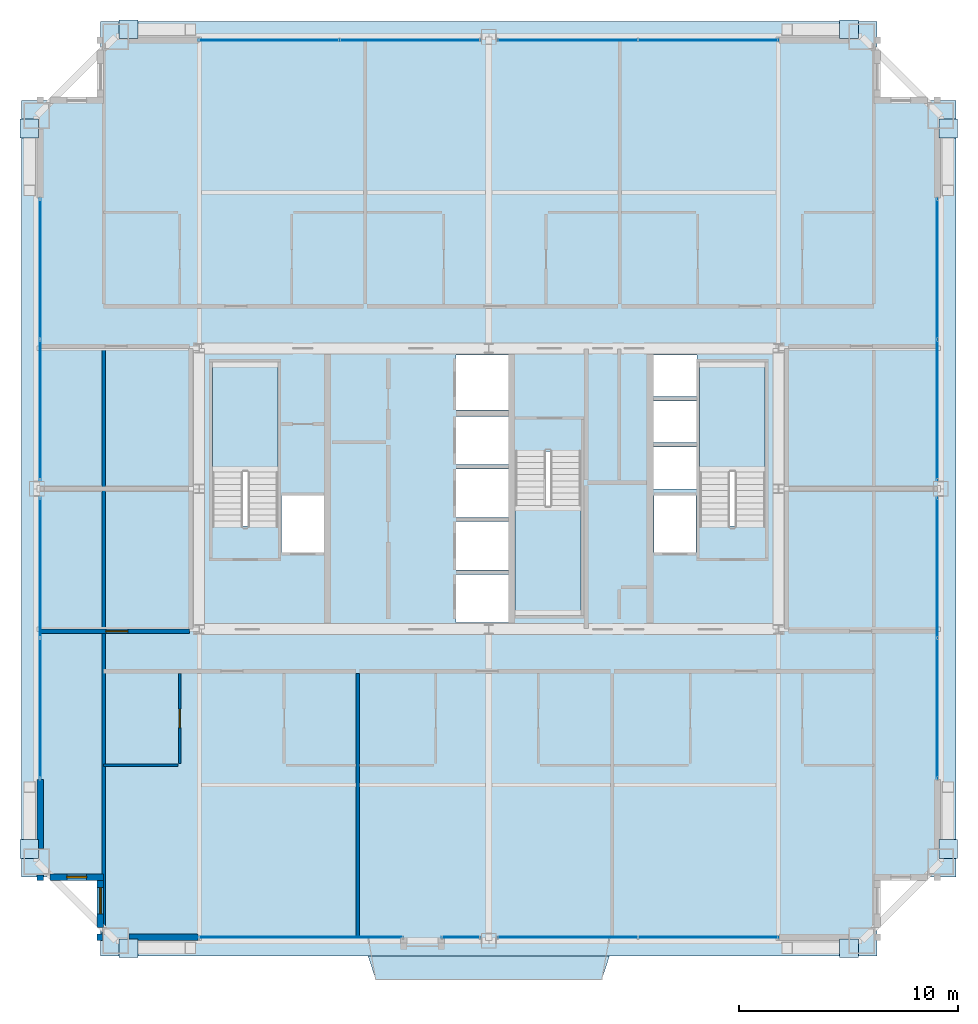
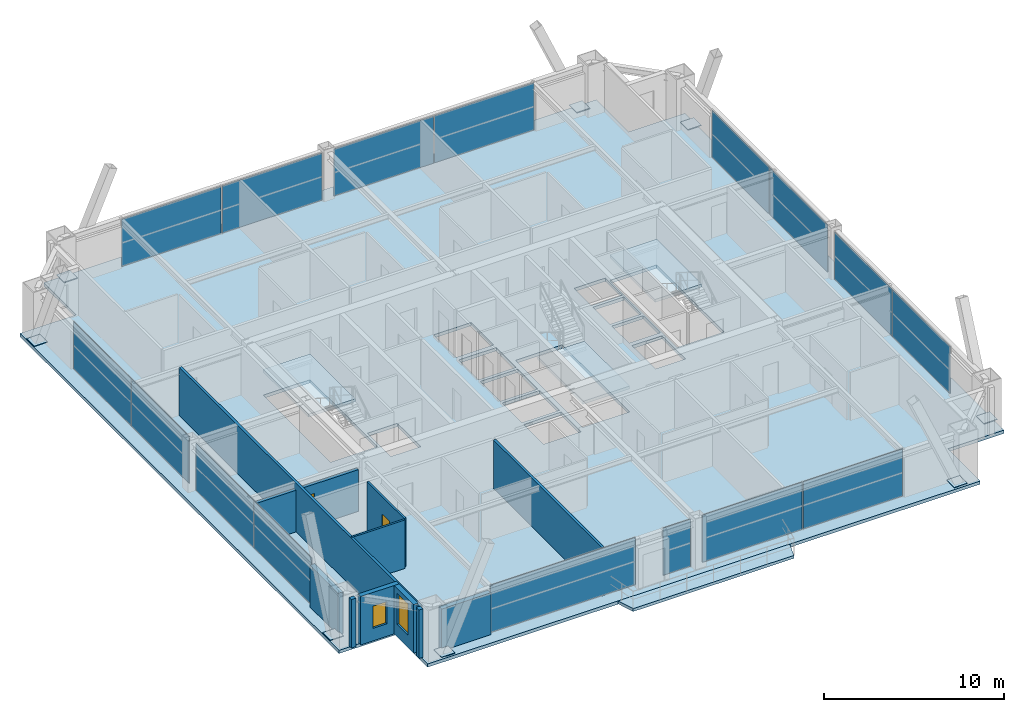
# One storey, part 29 of 34: 24 plates, 11 walls, 5 slabs, 2 doors, 2 windows, 4 openings, 12 elements without a shape of their own.
"""IFC4 building model written with IfcOpenShell, lengths in metres."""

from ifc_helpers import new_model, si_unit, direction, frame, frame_2d, origin, origin_2d, place, context, subcontext, project, spatial, polyline, rectangle, outline, extrude, source, transform, mapped, material, layer, layer_set, type_object, element, fill, aggregate, save


model = new_model("IFC4")

# Units and contexts
model_context = context("Model", 3, precision=1e-05, world=origin(), true_north=direction((0.0, 1.0)))
body_context = subcontext(model_context, "Body", "Model", "MODEL_VIEW")
ifc_project = project(units=[si_unit("LENGTHUNIT", "METRE"), si_unit("AREAUNIT", "SQUARE_METRE"), si_unit("VOLUMEUNIT", "CUBIC_METRE"), si_unit("PLANEANGLEUNIT", "RADIAN"), si_unit("MASSUNIT", "GRAM", prefix="KILO"), si_unit("THERMODYNAMICTEMPERATUREUNIT", "KELVIN"), si_unit("POWERUNIT", "WATT")], contexts=[model_context])

# Site, building, storey
site_placement = place(None, origin())
site = spatial("IfcSite", under=ifc_project, at=site_placement, CompositionType="ELEMENT")
building_placement = place(site_placement, origin())
building = spatial("IfcBuilding", under=site, at=building_placement, Name="Yuzanri Waterfront Tower", CompositionType="ELEMENT")
storey_placement = place(building_placement, frame((0.0, 0.0, 241.60009765625)))
storey = spatial("IfcBuildingStorey", under=building, at=storey_placement, Name="L64", CompositionType="ELEMENT", Elevation=241.60009765625)

# Slab
ifc_material_1 = material(Name="Concrete C40", Category="concrete")
ifc_layer_1 = layer(ifc_material_1, 0.199951171875)
ifc_layer_set_1 = layer_set([ifc_layer_1], Name="Concrete C40")
slab_type_1 = type_object("IfcSlabType", Name="Concrete C40 Cantilevered Engawa Wave Terrace Slab 200", PredefinedType="FLOOR", material=ifc_layer_set_1)
slab_1_placement = place(storey_placement, frame((0.0, 0.0, -0.2001953125)))
element("IfcSlab", 1, at=slab_1_placement, inside=storey, type_object=slab_type_1, Name="L64 S Cantilevered Engawa Terrace Slab", PredefinedType="FLOOR", context=body_context, shape_type="SweptSolid", body=[
    extrude(outline(polyline([(31.5, 4.5), (42.5, 4.5), (42.14990234375, 3.43603515625), (31.85009765625, 3.43603515625), (31.5, 4.5)])), origin(), (0.0, 0.0, 1.0), 0.2001953125),
])

# Stair, slab
ifc_material_2 = material(Name="Concrete C40", Category="concrete")
stair_type = type_object("IfcStairType", Name="Concrete C40 Core Dogleg Exit Stair", PredefinedType="HALF_TURN_STAIR", material=ifc_material_2)
stair_1_placement = place(storey_placement, origin())
stair_1 = element("IfcStair", 2, at=stair_1_placement, inside=storey, type_object=stair_type, Name="L64 Smoke-Proof Core Stair ST-01", PredefinedType="HALF_TURN_STAIR")
ifc_material_3 = material(Name="Concrete C40", Category="concrete")
ifc_layer_2 = layer(ifc_material_3, 0.179931640625)
ifc_layer_set_2 = layer_set([ifc_layer_2], Name="Concrete C40")
slab_type_2 = type_object("IfcSlabType", Name="Concrete C40 Stair Half-Landing Slab 180", PredefinedType="LANDING", material=ifc_layer_set_2)
slab_2_placement = place(storey_placement, frame((0.0, 0.0, 1.5498046875)))
slab_2 = element("IfcSlab", 3, at=slab_2_placement, type_object=slab_type_2, Name="ST-01 landing 1", PredefinedType="LANDING", context=body_context, shape_type="SweptSolid", body=[
    extrude(outline(polyline([(27.39990234375, 26.56005859375), (27.39990234375, 31.580078125), (24.39990234375, 31.580078125), (24.39990234375, 26.56005859375), (27.39990234375, 26.56005859375)])), origin(), (0.0, 0.0, 1.0), 0.2001953125),
])
aggregate(stair_1, [slab_2])

stair_2_placement = place(storey_placement, origin())
stair_2 = element("IfcStair", 4, at=stair_2_placement, inside=storey, type_object=stair_type, Name="L64 Smoke-Proof Core Stair ST-02", PredefinedType="HALF_TURN_STAIR")
slab_3_placement = place(storey_placement, frame((0.0, 0.0, 1.5498046875)))
slab_3 = element("IfcSlab", 5, at=slab_3_placement, type_object=slab_type_2, Name="ST-02 landing 1", PredefinedType="LANDING", context=body_context, shape_type="SweptSolid", body=[
    extrude(outline(polyline([(49.60009765625, 26.56005859375), (49.60009765625, 31.580078125), (46.60009765625, 31.580078125), (46.60009765625, 26.56005859375), (49.60009765625, 26.56005859375)])), origin(), (0.0, 0.0, 1.0), 0.2001953125),
])
aggregate(stair_2, [slab_3])

stair_3_placement = place(storey_placement, origin())
stair_3 = element("IfcStair", 6, at=stair_3_placement, inside=storey, type_object=stair_type, Name="L64 Smoke-Proof Core Stair ST-03", PredefinedType="HALF_TURN_STAIR")
slab_4_placement = place(storey_placement, frame((0.0, 0.0, 1.5498046875)))
slab_4 = element("IfcSlab", 7, at=slab_4_placement, type_object=slab_type_2, Name="ST-03 landing 1", PredefinedType="LANDING", context=body_context, shape_type="SweptSolid", body=[
    extrude(outline(polyline([(38.199951171875, 25.0400390625), (38.199951171875, 20.02001953125), (41.199951171875, 20.02001953125), (41.199951171875, 25.0400390625), (38.199951171875, 25.0400390625)])), origin(), (0.0, 0.0, 1.0), 0.2001953125),
])
aggregate(stair_3, [slab_4])

# Slab
ifc_material_4 = material(Name="Concrete C40", Category="concrete")
ifc_layer_3 = layer(ifc_material_4, 0.219970703125)
ifc_layer_set_3 = layer_set([ifc_layer_3], Name="Concrete C40")
slab_type_3 = type_object("IfcSlabType", Name="Concrete C40 Tower Typical Structural Floor Slab 220", PredefinedType="FLOOR", material=ifc_layer_set_3)
slab_5_placement = place(storey_placement, frame((0.0, 0.0, -0.22021484375)))
element("IfcSlab", 8, at=slab_5_placement, inside=storey, type_object=slab_type_3, Name="L64 Main Structural Floor Slab", PredefinedType="FLOOR", context=body_context, shape_type="SweptSolid", body=[
    extrude(outline(polyline([(19.300048828125, 4.5), (54.699951171875, 4.5), (54.699951171875, 8.10009765625), (58.300048828125, 8.10009765625), (58.300048828125, 43.5), (54.699951171875, 43.5), (54.699951171875, 47.10009765625), (19.300048828125, 47.10009765625), (19.300048828125, 43.5), (15.699951171875, 43.5), (15.699951171875, 8.10009765625), (19.300048828125, 8.10009765625), (19.300048828125, 4.5)]), holes=[polyline([(27.39990234375, 24.10009765625), (27.39990234375, 31.580078125), (24.39990234375, 31.580078125), (24.39990234375, 24.10009765625), (27.39990234375, 24.10009765625)]), polyline([(49.60009765625, 24.10009765625), (49.60009765625, 31.580078125), (46.60009765625, 31.580078125), (46.60009765625, 24.10009765625), (49.60009765625, 24.10009765625)]), polyline([(38.199951171875, 27.5), (38.199951171875, 20.02001953125), (41.199951171875, 20.02001953125), (41.199951171875, 27.5), (38.199951171875, 27.5)]), polyline([(27.56005859375, 22.89990234375), (29.47998046875, 22.89990234375), (29.47998046875, 25.5), (27.56005859375, 25.5), (27.56005859375, 22.89990234375)]), polyline([(44.52001953125, 22.89990234375), (46.43994140625, 22.89990234375), (46.43994140625, 25.5), (44.52001953125, 25.5), (44.52001953125, 22.89990234375)]), polyline([(35.5, 19.699951171875), (37.89990234375, 19.699951171875), (37.89990234375, 21.89990234375), (35.5, 21.89990234375), (35.5, 19.699951171875)]), polyline([(35.5, 22.10009765625), (37.89990234375, 22.10009765625), (37.89990234375, 24.300048828125), (35.5, 24.300048828125), (35.5, 22.10009765625)]), polyline([(35.5, 24.5), (37.89990234375, 24.5), (37.89990234375, 26.699951171875), (35.5, 26.699951171875), (35.5, 24.5)]), polyline([(35.5, 26.89990234375), (37.89990234375, 26.89990234375), (37.89990234375, 29.10009765625), (35.5, 29.10009765625), (35.5, 26.89990234375)]), polyline([(35.5, 29.39990234375), (37.89990234375, 29.39990234375), (37.89990234375, 31.89990234375), (35.5, 31.89990234375), (35.5, 29.39990234375)]), polyline([(44.5, 25.800048828125), (46.5, 25.800048828125), (46.5, 27.699951171875), (44.5, 27.699951171875), (44.5, 25.800048828125)]), polyline([(44.5, 27.89990234375), (46.5, 27.89990234375), (46.5, 29.800048828125), (44.5, 29.800048828125), (44.5, 27.89990234375)]), polyline([(44.5, 30.0), (46.5, 30.0), (46.5, 31.89990234375), (44.5, 31.89990234375), (44.5, 30.0)])]), origin(), (0.0, 0.0, 1.0), 0.22021484375),
])

# Plates
ifc_material_5 = material(Name="Steel Q420GJC", Category="steel")
ifc_layer_4 = layer(ifc_material_5, 0.0400390625)
ifc_layer_set_4 = layer_set([ifc_layer_4], Name="Steel Q420GJC")
plate_type_1 = type_object("IfcPlateType", Name="Steel Q420GJC Mega-Brace Gusset and End-Cap Plate 40", PredefinedType="SHEET", material=ifc_layer_set_4)
shared_shape_1 = source(origin(), body_context, "Body", "SweptSolid", [
    extrude(rectangle(XDim=0.85009765625, YDim=0.85009765625, at=origin_2d()), origin(), (0.0, 0.0, 1.0), 0.0400390625),
])
for number, where, z_axis, x_axis, name in (
    (9, (20.580078125, 4.860107421875, 0.159912109375), (0.0, 0.0, 1.0), (1.0, 0.0, 0.0), "L64 Mega-Brace Foot Cap Plate S-L"),
    (10, (53.419921875, 4.860107421875, 0.159912109375), (0.0, 0.0, 1.0), (1.0, 0.0, 0.0), "L64 Mega-Brace Foot Cap Plate S-R"),
    (11, (20.580078125, 46.739990234375, 0.159912109375), (0.0, 0.0, 1.0), (1.0, 0.0, 0.0), "L64 Mega-Brace Foot Cap Plate N-L"),
    (12, (53.419921875, 46.739990234375, 0.159912109375), (0.0, 0.0, 1.0), (1.0, 0.0, 0.0), "L64 Mega-Brace Foot Cap Plate N-R"),
    (13, (16.06005859375, 9.3798828125, 0.159912109375), (0.0, 0.0, 1.0), (1.0, 0.0, 0.0), "L64 Mega-Brace Foot Cap Plate W-L"),
    (14, (16.06005859375, 42.219970703125, 0.159912109375), (0.0, 0.0, 1.0), (1.0, 0.0, 0.0), "L64 Mega-Brace Foot Cap Plate W-R"),
    (15, (57.93994140625, 9.3798828125, 0.159912109375), (0.0, 0.0, 1.0), (1.0, 0.0, 0.0), "L64 Mega-Brace Foot Cap Plate E-L"),
    (16, (57.93994140625, 42.219970703125, 0.159912109375), (0.0, 0.0, 1.0), (1.0, 0.0, 0.0), "L64 Mega-Brace Foot Cap Plate E-R"),
):
    element("IfcPlate", number, at=place(storey_placement, frame(where, z_axis=z_axis, x_axis=x_axis)), inside=storey, type_object=plate_type_1, Name=name, PredefinedType="SHEET", context=body_context, shape_type="MappedRepresentation", body=[
        mapped(shared_shape_1, transform((0.0, 0.0, 0.0), scale=1.0)),
    ])

# Curtain wall, plates
ifc_material_6 = material(Name="Anodized Architectural Bronze", Category="metal")
ifc_layer_5 = layer(ifc_material_6, 0.159912109375)
ifc_layer_set_5 = layer_set([ifc_layer_5], Name="Anodized Architectural Bronze")
curtain_wall_type = type_object("IfcCurtainWallType", Name="Anodized Bronze Mid-Rise Residential Acoustic Unitized Curtain Wall 7200", PredefinedType="NOTDEFINED", material=ifc_layer_set_5)
curtain_wall_1_placement = place(storey_placement, origin())
curtain_wall_1 = element("IfcCurtainWall", 17, at=curtain_wall_1_placement, inside=storey, type_object=curtain_wall_type, Name="L64 Curtain Wall CW-L64-SR", PredefinedType="NOTDEFINED")
ifc_material_7 = material(Name="Triple Low-E Laminated Insulated Glass", Category="glass")
ifc_layer_6 = layer(ifc_material_7, 0.0439453125)
ifc_layer_set_6 = layer_set([ifc_layer_6], Name="Triple Low-E Laminated Insulated Glass")
plate_type_2 = type_object("IfcPlateType", Name="Triple Glazed Acoustic Vision Glass Panel 44", PredefinedType="CURTAIN_PANEL", material=ifc_layer_set_6)
shared_shape_2 = source(origin(), body_context, "Body", "SweptSolid", [
    extrude(rectangle(XDim=6.3701171875, YDim=0.0439453125, at=origin_2d()), origin(), (0.0, 0.0, 1.0), 3.179931640625),
])
plate_1_placement = place(storey_placement, frame((40.574951171875, 5.35009765625, 0.0498046875), z_axis=(0.0, 0.0, 1.0), x_axis=(1.0, 0.0, 0.0)))
plate_1 = element("IfcPlate", 18, at=plate_1_placement, type_object=plate_type_2, Name="CW-L64-SR Vision Glass Panel 01", PredefinedType="CURTAIN_PANEL", context=body_context, shape_type="MappedRepresentation", body=[
    mapped(shared_shape_2, transform((0.0, 0.0, 0.0), scale=1.0)),
])
plate_2_placement = place(storey_placement, frame((47.02490234375, 5.35009765625, 0.0498046875), z_axis=(0.0, 0.0, 1.0), x_axis=(1.0, 0.0, 0.0)))
plate_2 = element("IfcPlate", 19, at=plate_2_placement, type_object=plate_type_2, Name="CW-L64-SR Vision Glass Panel 02", PredefinedType="CURTAIN_PANEL", context=body_context, shape_type="MappedRepresentation", body=[
    mapped(shared_shape_2, transform((0.0, 0.0, 0.0), scale=1.0)),
])
aggregate(curtain_wall_1, [plate_1, plate_2])

curtain_wall_2_placement = place(storey_placement, origin())
curtain_wall_2 = element("IfcCurtainWall", 20, at=curtain_wall_2_placement, inside=storey, type_object=curtain_wall_type, Name="L64 Curtain Wall CW-L64-NL", PredefinedType="NOTDEFINED")
plate_3_placement = place(storey_placement, frame((26.97509765625, 46.25, 0.0498046875), z_axis=(0.0, 0.0, 1.0), x_axis=(1.0, 0.0, 0.0)))
plate_3 = element("IfcPlate", 21, at=plate_3_placement, type_object=plate_type_2, Name="CW-L64-NL Vision Glass Panel 01", PredefinedType="CURTAIN_PANEL", context=body_context, shape_type="MappedRepresentation", body=[
    mapped(shared_shape_2, transform((0.0, 0.0, 0.0), scale=1.0)),
])
plate_4_placement = place(storey_placement, frame((33.425048828125, 46.25, 0.0498046875), z_axis=(0.0, 0.0, 1.0), x_axis=(1.0, 0.0, 0.0)))
plate_4 = element("IfcPlate", 22, at=plate_4_placement, type_object=plate_type_2, Name="CW-L64-NL Vision Glass Panel 02", PredefinedType="CURTAIN_PANEL", context=body_context, shape_type="MappedRepresentation", body=[
    mapped(shared_shape_2, transform((0.0, 0.0, 0.0), scale=1.0)),
])
aggregate(curtain_wall_2, [plate_3, plate_4])

curtain_wall_3_placement = place(storey_placement, origin())
curtain_wall_3 = element("IfcCurtainWall", 23, at=curtain_wall_3_placement, inside=storey, type_object=curtain_wall_type, Name="L64 Curtain Wall CW-L64-NR", PredefinedType="NOTDEFINED")
plate_5_placement = place(storey_placement, frame((40.574951171875, 46.25, 0.0498046875), z_axis=(0.0, 0.0, 1.0), x_axis=(1.0, 0.0, 0.0)))
plate_5 = element("IfcPlate", 24, at=plate_5_placement, type_object=plate_type_2, Name="CW-L64-NR Vision Glass Panel 01", PredefinedType="CURTAIN_PANEL", context=body_context, shape_type="MappedRepresentation", body=[
    mapped(shared_shape_2, transform((0.0, 0.0, 0.0), scale=1.0)),
])
plate_6_placement = place(storey_placement, frame((47.02490234375, 46.25, 0.0498046875), z_axis=(0.0, 0.0, 1.0), x_axis=(1.0, 0.0, 0.0)))
plate_6 = element("IfcPlate", 25, at=plate_6_placement, type_object=plate_type_2, Name="CW-L64-NR Vision Glass Panel 02", PredefinedType="CURTAIN_PANEL", context=body_context, shape_type="MappedRepresentation", body=[
    mapped(shared_shape_2, transform((0.0, 0.0, 0.0), scale=1.0)),
])
aggregate(curtain_wall_3, [plate_5, plate_6])

curtain_wall_4_placement = place(storey_placement, origin())
curtain_wall_4 = element("IfcCurtainWall", 26, at=curtain_wall_4_placement, inside=storey, type_object=curtain_wall_type, Name="L64 Curtain Wall CW-L64-WL", PredefinedType="NOTDEFINED")
plate_7_placement = place(storey_placement, frame((16.550048828125, 15.77490234375, 0.0498046875), z_axis=(0.0, 0.0, 1.0), x_axis=(0.0, 1.0, 0.0)))
plate_7 = element("IfcPlate", 27, at=plate_7_placement, type_object=plate_type_2, Name="CW-L64-WL Vision Glass Panel 01", PredefinedType="CURTAIN_PANEL", context=body_context, shape_type="MappedRepresentation", body=[
    mapped(shared_shape_2, transform((0.0, 0.0, 0.0), scale=1.0)),
])
plate_8_placement = place(storey_placement, frame((16.550048828125, 22.22509765625, 0.0498046875), z_axis=(0.0, 0.0, 1.0), x_axis=(0.0, 1.0, 0.0)))
plate_8 = element("IfcPlate", 28, at=plate_8_placement, type_object=plate_type_2, Name="CW-L64-WL Vision Glass Panel 02", PredefinedType="CURTAIN_PANEL", context=body_context, shape_type="MappedRepresentation", body=[
    mapped(shared_shape_2, transform((0.0, 0.0, 0.0), scale=1.0)),
])
aggregate(curtain_wall_4, [plate_7, plate_8])

curtain_wall_5_placement = place(storey_placement, origin())
curtain_wall_5 = element("IfcCurtainWall", 29, at=curtain_wall_5_placement, inside=storey, type_object=curtain_wall_type, Name="L64 Curtain Wall CW-L64-WR", PredefinedType="NOTDEFINED")
plate_9_placement = place(storey_placement, frame((16.550048828125, 29.375, 0.0498046875), z_axis=(0.0, 0.0, 1.0), x_axis=(0.0, 1.0, 0.0)))
plate_9 = element("IfcPlate", 30, at=plate_9_placement, type_object=plate_type_2, Name="CW-L64-WR Vision Glass Panel 01", PredefinedType="CURTAIN_PANEL", context=body_context, shape_type="MappedRepresentation", body=[
    mapped(shared_shape_2, transform((0.0, 0.0, 0.0), scale=1.0)),
])
plate_10_placement = place(storey_placement, frame((16.550048828125, 35.824951171875, 0.0498046875), z_axis=(0.0, 0.0, 1.0), x_axis=(0.0, 1.0, 0.0)))
plate_10 = element("IfcPlate", 31, at=plate_10_placement, type_object=plate_type_2, Name="CW-L64-WR Vision Glass Panel 02", PredefinedType="CURTAIN_PANEL", context=body_context, shape_type="MappedRepresentation", body=[
    mapped(shared_shape_2, transform((0.0, 0.0, 0.0), scale=1.0)),
])
aggregate(curtain_wall_5, [plate_9, plate_10])

curtain_wall_6_placement = place(storey_placement, origin())
curtain_wall_6 = element("IfcCurtainWall", 32, at=curtain_wall_6_placement, inside=storey, type_object=curtain_wall_type, Name="L64 Curtain Wall CW-L64-EL", PredefinedType="NOTDEFINED")
plate_11_placement = place(storey_placement, frame((57.449951171875, 15.77490234375, 0.0498046875), z_axis=(0.0, 0.0, 1.0), x_axis=(0.0, 1.0, 0.0)))
plate_11 = element("IfcPlate", 33, at=plate_11_placement, type_object=plate_type_2, Name="CW-L64-EL Vision Glass Panel 01", PredefinedType="CURTAIN_PANEL", context=body_context, shape_type="MappedRepresentation", body=[
    mapped(shared_shape_2, transform((0.0, 0.0, 0.0), scale=1.0)),
])
plate_12_placement = place(storey_placement, frame((57.449951171875, 22.22509765625, 0.0498046875), z_axis=(0.0, 0.0, 1.0), x_axis=(0.0, 1.0, 0.0)))
plate_12 = element("IfcPlate", 34, at=plate_12_placement, type_object=plate_type_2, Name="CW-L64-EL Vision Glass Panel 02", PredefinedType="CURTAIN_PANEL", context=body_context, shape_type="MappedRepresentation", body=[
    mapped(shared_shape_2, transform((0.0, 0.0, 0.0), scale=1.0)),
])
aggregate(curtain_wall_6, [plate_11, plate_12])

curtain_wall_7_placement = place(storey_placement, origin())
curtain_wall_7 = element("IfcCurtainWall", 35, at=curtain_wall_7_placement, inside=storey, type_object=curtain_wall_type, Name="L64 Curtain Wall CW-L64-ER", PredefinedType="NOTDEFINED")
plate_13_placement = place(storey_placement, frame((57.449951171875, 29.375, 0.0498046875), z_axis=(0.0, 0.0, 1.0), x_axis=(0.0, 1.0, 0.0)))
plate_13 = element("IfcPlate", 36, at=plate_13_placement, type_object=plate_type_2, Name="CW-L64-ER Vision Glass Panel 01", PredefinedType="CURTAIN_PANEL", context=body_context, shape_type="MappedRepresentation", body=[
    mapped(shared_shape_2, transform((0.0, 0.0, 0.0), scale=1.0)),
])
plate_14_placement = place(storey_placement, frame((57.449951171875, 35.824951171875, 0.0498046875), z_axis=(0.0, 0.0, 1.0), x_axis=(0.0, 1.0, 0.0)))
plate_14 = element("IfcPlate", 37, at=plate_14_placement, type_object=plate_type_2, Name="CW-L64-ER Vision Glass Panel 02", PredefinedType="CURTAIN_PANEL", context=body_context, shape_type="MappedRepresentation", body=[
    mapped(shared_shape_2, transform((0.0, 0.0, 0.0), scale=1.0)),
])
aggregate(curtain_wall_7, [plate_13, plate_14])

# Curtain wall, plate
curtain_wall_8_placement = place(storey_placement, origin())
curtain_wall_8 = element("IfcCurtainWall", 38, at=curtain_wall_8_placement, inside=storey, type_object=curtain_wall_type, Name="L64 Curtain Wall CW-L64-SL1", PredefinedType="NOTDEFINED")
shared_shape_3 = source(origin(), body_context, "Body", "SweptSolid", [
    extrude(rectangle(XDim=9.294921875, YDim=0.0439453125, at=origin_2d()), origin(), (0.0, 0.0, 1.0), 3.179931640625),
])
plate_15_placement = place(storey_placement, frame((28.4375, 5.35009765625, 0.0498046875), z_axis=(0.0, 0.0, 1.0), x_axis=(1.0, 0.0, 0.0)))
plate_15 = element("IfcPlate", 39, at=plate_15_placement, type_object=plate_type_2, Name="CW-L64-SL1 Vision Glass Panel 01", PredefinedType="CURTAIN_PANEL", context=body_context, shape_type="MappedRepresentation", body=[
    mapped(shared_shape_3, transform((0.0, 0.0, 0.0), scale=1.0)),
])
aggregate(curtain_wall_8, [plate_15])

curtain_wall_9_placement = place(storey_placement, origin())
curtain_wall_9 = element("IfcCurtainWall", 40, at=curtain_wall_9_placement, inside=storey, type_object=curtain_wall_type, Name="L64 Curtain Wall CW-L64-SL2", PredefinedType="NOTDEFINED")
shared_shape_4 = source(origin(), body_context, "Body", "SweptSolid", [
    extrude(rectangle(XDim=1.7451171875, YDim=0.0439453125, at=origin_2d()), origin(), (0.0, 0.0, 1.0), 3.179931640625),
])
plate_16_placement = place(storey_placement, frame((35.737548828125, 5.35009765625, 0.0498046875), z_axis=(0.0, 0.0, 1.0), x_axis=(1.0, 0.0, 0.0)))
plate_16 = element("IfcPlate", 41, at=plate_16_placement, type_object=plate_type_2, Name="CW-L64-SL2 Vision Glass Panel 01", PredefinedType="CURTAIN_PANEL", context=body_context, shape_type="MappedRepresentation", body=[
    mapped(shared_shape_4, transform((0.0, 0.0, 0.0), scale=1.0)),
])
aggregate(curtain_wall_9, [plate_16])

# Wall, opening, door
ifc_material_8 = material(Name="Moisture-Resistant Gypsum Stud Wall", Category="gypsum")
ifc_layer_7 = layer(ifc_material_8, 0.1201171875)
ifc_layer_set_7 = layer_set([ifc_layer_7], Name="Moisture-Resistant Gypsum Stud Wall")
wall_type_1 = type_object("IfcWallType", Name="Bathroom and Kitchen Wet Partition 120", PredefinedType="PARTITIONING", material=ifc_layer_set_7)
wall_1_placement = place(storey_placement, frame((22.919921875, 13.280029296875, 0.0), z_axis=(0.0, 0.0, 1.0), x_axis=(0.0, 1.0, 0.0)))
wall_1 = element("IfcWall", 42, at=wall_1_placement, inside=storey, type_object=wall_type_1, Name="L64 Partition UW-L64-RS1-SUB-1-E", PredefinedType="PARTITIONING", context=body_context, shape_type="SweptSolid", body=[
    extrude(rectangle(XDim=4.10986328125, YDim=0.1201171875, at=frame_2d((2.054931640625, 0.0))), origin(), (0.0, 0.0, 1.0), 3.27978515625),
])
opening_1_placement = place(wall_1_placement, frame((1.6298828125, 0.0, 0.0)))
opening_1 = element("IfcOpeningElement", 43, at=opening_1_placement, cuts=wall_1, Name="Opening ID-0850", PredefinedType="OPENING", context=body_context, shape_type="SweptSolid", body=[
    extrude(rectangle(XDim=0.85009765625, YDim=2.10009765625, at=frame_2d((0.425048828125, 1.050048828125))), frame((0.0, 0.074951171875, 0.0), z_axis=(0.0, -1.0, 0.0), x_axis=(1.0, 0.0, 0.0)), (0.0, 0.0, 1.0), 0.14990234375),
])
ifc_material_9 = material(Name="Moisture-Resistant Lacquered Timber", Category="wood")
door_type_1 = type_object("IfcDoorType", Name="En-Suite Bathroom and Kitchen Swing Door 850x2100", OperationType="NOTDEFINED", PredefinedType="DOOR", material=ifc_material_9)
shared_shape_5 = source(origin(), body_context, "Body", "SweptSolid", [
    extrude(rectangle(XDim=0.85009765625, YDim=2.10009765625, at=frame_2d((0.425048828125, 1.050048828125))), frame((0.0, 0.02490234375, 0.0), z_axis=(0.0, -1.0, 0.0), x_axis=(1.0, 0.0, 0.0)), (0.0, 0.0, 1.0), 0.050048828125),
])
door_1_placement = place(opening_1_placement, origin())
door_1 = element("IfcDoor", 44, at=door_1_placement, inside=storey, type_object=door_type_1, Name="L64 Suite Interior Room Door", OperationType="SINGLE_SWING_LEFT", OverallHeight=2.10009765625, OverallWidth=0.85009765625, PredefinedType="DOOR", context=body_context, shape_type="MappedRepresentation", body=[
    mapped(shared_shape_5, transform((0.0, 0.0, 0.0), scale=1.0)),
])
fill(opening_1, door_1)

# Wall, opening, window
ifc_material_10 = material(Name="Honed Chongqing Dark Basalt Stone", Category="masonry")
ifc_layer_8 = layer(ifc_material_10, 0.300048828125)
ifc_layer_set_8 = layer_set([ifc_layer_8], Name="Honed Chongqing Dark Basalt Stone")
wall_type_2 = type_object("IfcWallType", Name="Bronze Rainscreen Insulated Spandrel Portal Wall 300", PredefinedType="SOLIDWALL", material=ifc_layer_set_8)
wall_2_placement = place(storey_placement, frame((17.0, 8.10009765625, 0.0), z_axis=(0.0, 0.0, 1.0), x_axis=(1.0, 0.0, 0.0)))
wall_2 = element("IfcWall", 45, at=wall_2_placement, inside=storey, type_object=wall_type_2, Name="L64 Notched Corner Masonry Wall SW-X", PredefinedType="SOLIDWALL", context=body_context, shape_type="SweptSolid", body=[
    extrude(rectangle(XDim=2.449951171875, YDim=0.300048828125, at=frame_2d((1.22509765625, 0.0))), origin(), (0.0, 0.0, 1.0), 3.27978515625),
])
opening_2_placement = place(wall_2_placement, frame((0.77490234375, 0.0, 0.85009765625)))
opening_2 = element("IfcOpeningElement", 46, at=opening_2_placement, cuts=wall_2, Name="Opening WN-05", PredefinedType="OPENING", context=body_context, shape_type="SweptSolid", body=[
    extrude(rectangle(XDim=0.89990234375, YDim=1.5, at=frame_2d((0.449951171875, 0.75))), frame((0.0, 0.1650390625, 0.0), z_axis=(0.0, -1.0, 0.0), x_axis=(1.0, 0.0, 0.0)), (0.0, 0.0, 1.0), 0.329833984375),
])
ifc_material_11 = material(Name="Double-Silver Low-E Insulated Glass", Category="glass")
window_type_1 = type_object("IfcWindowType", Name="Anodized Bronze Service and Stairwell Smoke-Vent Window 900x1500", PartitioningType="SINGLE_PANEL", PredefinedType="WINDOW", material=ifc_material_11)
shared_shape_6 = source(origin(), body_context, "Body", "SweptSolid", [
    extrude(rectangle(XDim=0.89990234375, YDim=1.5, at=frame_2d((0.449951171875, 0.75))), frame((0.0, 0.030029296875, 0.0), z_axis=(0.0, -1.0, 0.0), x_axis=(1.0, 0.0, 0.0)), (0.0, 0.0, 1.0), 0.06005859375),
])
window_1_placement = place(opening_2_placement, origin())
window_1 = element("IfcWindow", 47, at=window_1_placement, inside=storey, type_object=window_type_1, Name="L64 Notched Corner Window SW-X", OverallHeight=1.5, OverallWidth=0.89990234375, PartitioningType="SINGLE_PANEL", PredefinedType="WINDOW", context=body_context, shape_type="MappedRepresentation", body=[
    mapped(shared_shape_6, transform((0.0, 0.0, 0.0), scale=1.0)),
])
fill(opening_2, window_1)

wall_3_placement = place(storey_placement, frame((19.300048828125, 8.25, 0.0), z_axis=(0.0, 0.0, 1.0), x_axis=(0.0, -1.0, 0.0)))
wall_3 = element("IfcWall", 48, at=wall_3_placement, inside=storey, type_object=wall_type_2, Name="L64 Notched Corner Masonry Wall SW-Y", PredefinedType="SOLIDWALL", context=body_context, shape_type="SweptSolid", body=[
    extrude(rectangle(XDim=2.449951171875, YDim=0.300048828125, at=frame_2d((1.22509765625, 0.0))), origin(), (0.0, 0.0, 1.0), 3.27978515625),
])
opening_3_placement = place(wall_3_placement, frame((0.625, 0.0, 0.85009765625)))
opening_3 = element("IfcOpeningElement", 49, at=opening_3_placement, cuts=wall_3, Name="Opening WN-02", PredefinedType="OPENING", context=body_context, shape_type="SweptSolid", body=[
    extrude(rectangle(XDim=1.199951171875, YDim=2.10009765625, at=frame_2d((0.60009765625, 1.050048828125))), frame((0.0, 0.1650390625, 0.0), z_axis=(0.0, -1.0, 0.0), x_axis=(1.0, 0.0, 0.0)), (0.0, 0.0, 1.0), 0.329833984375),
])
ifc_material_12 = material(Name="Double-Silver Low-E Insulated Glass", Category="glass")
window_type_2 = type_object("IfcWindowType", Name="Anodized Bronze Notched Corner Deep-Set Slot Window 1200x2100", PartitioningType="SINGLE_PANEL", PredefinedType="WINDOW", material=ifc_material_12)
shared_shape_7 = source(origin(), body_context, "Body", "SweptSolid", [
    extrude(rectangle(XDim=1.199951171875, YDim=2.10009765625, at=frame_2d((0.60009765625, 1.050048828125))), frame((0.0, 0.030029296875, 0.0), z_axis=(0.0, -1.0, 0.0), x_axis=(1.0, 0.0, 0.0)), (0.0, 0.0, 1.0), 0.06005859375),
])
window_2_placement = place(opening_3_placement, origin())
window_2 = element("IfcWindow", 50, at=window_2_placement, inside=storey, type_object=window_type_2, Name="L64 Notched Corner Window SW-Y", OverallHeight=2.10009765625, OverallWidth=1.199951171875, PartitioningType="SINGLE_PANEL", PredefinedType="WINDOW", context=body_context, shape_type="MappedRepresentation", body=[
    mapped(shared_shape_7, transform((0.0, 0.0, 0.0), scale=1.0)),
])
fill(opening_3, window_2)

# Wall, opening, door
ifc_material_13 = material(Name="Autoclaved Aerated Concrete Blockwork", Category="masonry")
ifc_layer_9 = layer(ifc_material_13, 0.199951171875)
ifc_layer_set_9 = layer_set([ifc_layer_9], Name="Autoclaved Aerated Concrete Blockwork")
wall_type_3 = type_object("IfcWallType", Name="Corridor and Unit Party Fire Wall 200", PredefinedType="PARTITIONING", material=ifc_layer_set_9)
wall_4_placement = place(storey_placement, frame((16.550048828125, 19.31005859375, 0.0), z_axis=(0.0, 0.0, 1.0), x_axis=(1.0, 0.0, 0.0)))
wall_4 = element("IfcWall", 51, at=wall_4_placement, inside=storey, type_object=wall_type_3, Name="L64 Partition UW-L64-036-CS", PredefinedType="PARTITIONING", context=body_context, shape_type="SweptSolid", body=[
    extrude(rectangle(XDim=6.800048828125, YDim=0.199951171875, at=frame_2d((3.39990234375, 0.0))), origin(), (0.0, 0.0, 1.0), 2.824951171875),
])
opening_4_placement = place(wall_4_placement, frame((3.0, 0.0, 0.0)))
opening_4 = element("IfcOpeningElement", 52, at=opening_4_placement, cuts=wall_4, Name="Opening FD-1000", PredefinedType="OPENING", context=body_context, shape_type="SweptSolid", body=[
    extrude(rectangle(XDim=1.0, YDim=2.199951171875, at=frame_2d((0.5, 1.10009765625))), frame((0.0, 0.11474609375, 0.0), z_axis=(0.0, -1.0, 0.0), x_axis=(1.0, 0.0, 0.0)), (0.0, 0.0, 1.0), 0.229736328125),
])
ifc_material_14 = material(Name="Engineered Oak Fire-Rated Timber", Category="wood")
door_type_2 = type_object("IfcDoorType", Name="Guestroom and Apartment Entrance Fire Door 1000x2200", OperationType="NOTDEFINED", PredefinedType="DOOR", material=ifc_material_14)
shared_shape_8 = source(origin(), body_context, "Body", "SweptSolid", [
    extrude(rectangle(XDim=1.0, YDim=2.199951171875, at=frame_2d((0.5, 1.10009765625))), frame((0.0, 0.02490234375, 0.0), z_axis=(0.0, -1.0, 0.0), x_axis=(1.0, 0.0, 0.0)), (0.0, 0.0, 1.0), 0.050048828125),
])
door_2_placement = place(opening_4_placement, origin())
door_2 = element("IfcDoor", 53, at=door_2_placement, inside=storey, type_object=door_type_2, Name="L64 Residents W Co-Working Office 1 Entrance Door", OperationType="SINGLE_SWING_RIGHT", OverallHeight=2.199951171875, OverallWidth=1.0, PredefinedType="DOOR", context=body_context, shape_type="MappedRepresentation", body=[
    mapped(shared_shape_8, transform((0.0, 0.0, 0.0), scale=1.0)),
])
fill(opening_4, door_2)

# Walls
shared_shape_9 = source(origin(), body_context, "Body", "SweptSolid", [
    extrude(rectangle(XDim=0.25, YDim=0.300048828125, at=frame_2d((0.125, 0.0))), origin(), (0.0, 0.0, 1.0), 3.27978515625),
])
for number, where, z_axis, x_axis, name in (
    (54, (19.14990234375, 5.35009765625, 0.0), (0.0, 0.0, 1.0), (1.0, 0.0, 0.0), "L64 Corner Column Shoulder Return CSW"),
    (55, (16.550048828125, 7.949951171875, 0.0), (0.0, 0.0, 1.0), (0.0, 1.0, 0.0), "L64 Corner Column Shoulder Return CWS"),
):
    element("IfcWall", number, at=place(storey_placement, frame(where, z_axis=z_axis, x_axis=x_axis)), inside=storey, type_object=wall_type_2, Name=name, PredefinedType="SOLIDWALL", context=body_context, shape_type="MappedRepresentation", body=[
        mapped(shared_shape_9, transform((0.0, 0.0, 0.0), scale=1.0)),
    ])
shared_shape_10 = source(origin(), body_context, "Body", "SweptSolid", [
    extrude(rectangle(XDim=3.14990234375, YDim=0.300048828125, at=frame_2d((1.574951171875, 0.0))), origin(), (0.0, 0.0, 1.0), 2.8349609375),
])
wall_5_placement = place(storey_placement, frame((20.60009765625, 5.35009765625, 0.0), z_axis=(0.0, 0.0, 1.0), x_axis=(1.0, 0.0, 0.0)))
element("IfcWall", 56, at=wall_5_placement, inside=storey, type_object=wall_type_2, Name="L64 S Left Braced Masonry Shoulder", PredefinedType="SOLIDWALL", context=body_context, shape_type="MappedRepresentation", body=[
    mapped(shared_shape_10, transform((0.0, 0.0, 0.0), scale=1.0)),
])
shared_shape_11 = source(origin(), body_context, "Body", "SweptSolid", [
    extrude(rectangle(XDim=3.150146484375, YDim=0.300048828125, at=frame_2d((1.5751953125, 0.0))), origin(), (0.0, 0.0, 1.0), 2.8349609375),
])
wall_6_placement = place(storey_placement, frame((16.550048828125, 9.39990234375, 0.0), z_axis=(0.0, 0.0, 1.0), x_axis=(0.0, 1.0, 0.0)))
element("IfcWall", 57, at=wall_6_placement, inside=storey, type_object=wall_type_2, Name="L64 W Left Braced Masonry Shoulder", PredefinedType="SOLIDWALL", context=body_context, shape_type="MappedRepresentation", body=[
    mapped(shared_shape_11, transform((0.0, 0.0, 0.0), scale=1.0)),
])
ifc_material_15 = material(Name="Gypsum Fireboard Acoustic Stud Wall", Category="gypsum")
ifc_layer_10 = layer(ifc_material_15, 0.159912109375)
ifc_layer_set_10 = layer_set([ifc_layer_10], Name="Gypsum Fireboard Acoustic Stud Wall")
wall_type_4 = type_object("IfcWallType", Name="Acoustic Suite Demising Partition 160", PredefinedType="PARTITIONING", material=ifc_layer_set_10)
shared_shape_12 = source(origin(), body_context, "Body", "SweptSolid", [
    extrude(rectangle(XDim=12.039794921875, YDim=0.159912109375, at=frame_2d((6.02001953125, 0.0))), origin(), (0.0, 0.0, 1.0), 3.27978515625),
])
wall_7_placement = place(storey_placement, frame((31.030029296875, 5.35009765625, 0.0), z_axis=(0.0, 0.0, 1.0), x_axis=(0.0, 1.0, 0.0)))
element("IfcWall", 58, at=wall_7_placement, inside=storey, type_object=wall_type_4, Name="L64-RS1 Party Wall", PredefinedType="PARTITIONING", context=body_context, shape_type="MappedRepresentation", body=[
    mapped(shared_shape_12, transform((0.0, 0.0, 0.0), scale=1.0)),
])
shared_shape_13 = source(origin(), body_context, "Body", "SweptSolid", [
    extrude(rectangle(XDim=3.400146484375, YDim=0.1201171875, at=frame_2d((1.7001953125, 0.0))), origin(), (0.0, 0.0, 1.0), 3.27978515625),
])
wall_8_placement = place(storey_placement, frame((19.43994140625, 13.199951171875, 0.0), z_axis=(0.0, 0.0, 1.0), x_axis=(1.0, 0.0, 0.0)))
element("IfcWall", 59, at=wall_8_placement, inside=storey, type_object=wall_type_1, Name="L64 Partition UW-L64-RS1-SUB-1-S", PredefinedType="PARTITIONING", context=body_context, shape_type="MappedRepresentation", body=[
    mapped(shared_shape_13, transform((0.0, 0.0, 0.0), scale=1.0)),
])
shared_shape_14 = source(origin(), body_context, "Body", "SweptSolid", [
    extrude(rectangle(XDim=26.68994140625, YDim=0.159912109375, at=frame_2d((13.344970703125, 0.0))), origin(), (0.0, 0.0, 1.0), 3.27978515625),
])
wall_9_placement = place(storey_placement, frame((19.449951171875, 5.5, 0.0), z_axis=(0.0, 0.0, 1.0), x_axis=(0.0, 1.0, 0.0)))
element("IfcWall", 60, at=wall_9_placement, inside=storey, type_object=wall_type_4, Name="L64 South Band West End Wall", PredefinedType="PARTITIONING", context=body_context, shape_type="MappedRepresentation", body=[
    mapped(shared_shape_14, transform((0.0, 0.0, 0.0), scale=1.0)),
])

save(model, "model.ifc")
